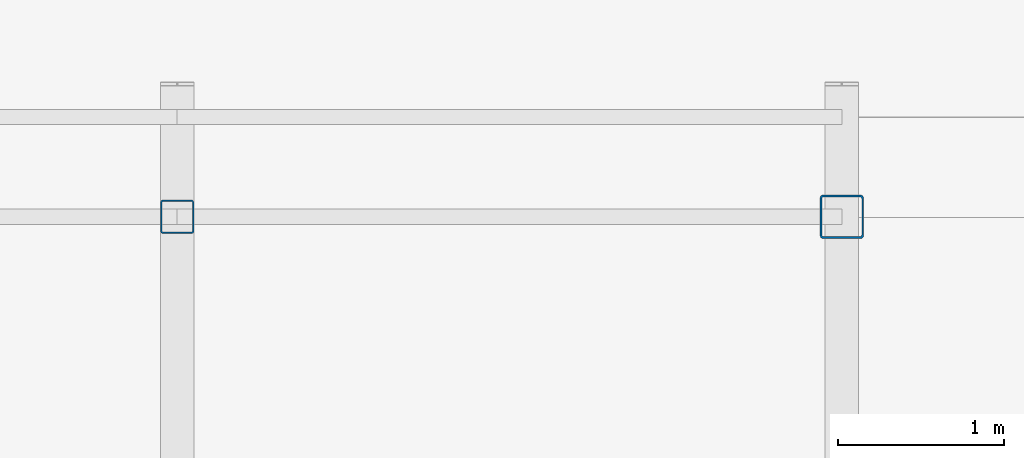
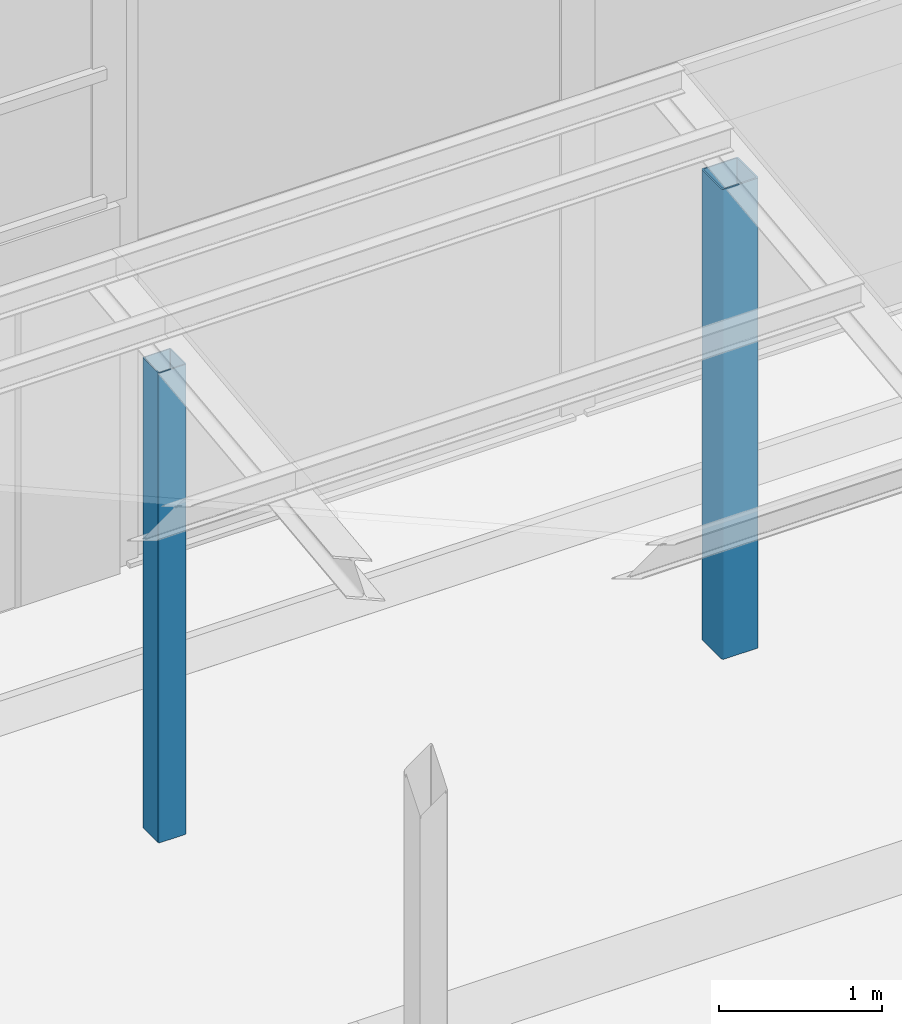
# One storey, part 12 of 144: 2 columns.
"""IFC4 building model written with IfcOpenShell, lengths in metres."""

from ifc_helpers import new_model, si_unit, direction, frame, origin, origin_2d, place, context, subcontext, project, spatial, hollow_rectangle, extrude, material, material_profile, profile_set, type_object, element, save


model = new_model("IFC4")

# Units and contexts
model_context = context("Model", 3, precision=1e-05, world=origin(), true_north=direction((0.0, 1.0)))
body_context = subcontext(model_context, "Body", "Model", "MODEL_VIEW")
ifc_project = project(units=[si_unit("LENGTHUNIT", "METRE"), si_unit("AREAUNIT", "SQUARE_METRE"), si_unit("VOLUMEUNIT", "CUBIC_METRE"), si_unit("PLANEANGLEUNIT", "RADIAN"), si_unit("MASSUNIT", "GRAM", prefix="KILO")], contexts=[model_context])

# Site, building, storey
site_placement = place(None, origin())
site = spatial("IfcSite", under=ifc_project, at=site_placement, CompositionType="ELEMENT")
building_placement = place(site_placement, origin())
building = spatial("IfcBuilding", under=site, at=building_placement, Name="Lantern Court Media Centre", CompositionType="ELEMENT")
storey_placement = place(building_placement, origin())
storey = spatial("IfcBuildingStorey", under=building, at=storey_placement, Name="L00", CompositionType="ELEMENT", Elevation=0.0)

# Columns
ifc_material = material(Name="Steel S355J2 (EN 10025-2)", Category="steel")
ifc_material_profile_1 = material_profile(ifc_material, hollow_rectangle(XDim=0.260009765625, YDim=0.260009765625, WallThickness=0.010009765625, InnerFilletRadius=0.010009765625, OuterFilletRadius=0.014892578125, at=origin_2d()), Name="Entrance canopy end post SHS 260x10")
ifc_profile_set_1 = profile_set([ifc_material_profile_1], Name="Steel S355J2 (EN 10025-2)")
column_type_1 = type_object("IfcColumnType", Name="Entrance canopy end post SHS 260x10", PredefinedType="COLUMN", material=ifc_profile_set_1)
column_1_placement = place(storey_placement, frame((60.0, 46.60009765625, 0.0), z_axis=(0.0, 0.0, 1.0), x_axis=(1.0, 0.0, 0.0)))
element("IfcColumn", 1, at=column_1_placement, inside=storey, type_object=column_type_1, Name="Entrance canopy post 5-2", PredefinedType="COLUMN", context=body_context, shape_type="SweptSolid", body=[
    extrude(hollow_rectangle(XDim=0.260009765625, YDim=0.260009765625, WallThickness=0.010009765625, InnerFilletRadius=0.010009765625, OuterFilletRadius=0.014892578125, at=origin_2d()), origin(), (0.0, 0.0, 1.0), 3.5146484375),
])
ifc_material_profile_2 = material_profile(ifc_material, hollow_rectangle(XDim=0.199951171875, YDim=0.199951171875, WallThickness=0.008056640625, InnerFilletRadius=0.008056640625, OuterFilletRadius=0.011962890625, at=origin_2d()), Name="Entrance canopy post SHS 200x8")
ifc_profile_set_2 = profile_set([ifc_material_profile_2], Name="Steel S355J2 (EN 10025-2)")
column_type_2 = type_object("IfcColumnType", Name="Entrance canopy post SHS 200x8", PredefinedType="COLUMN", material=ifc_profile_set_2)
column_2_placement = place(storey_placement, frame((56.0, 46.60009765625, 0.0), z_axis=(0.0, 0.0, 1.0), x_axis=(1.0, 0.0, 0.0)))
element("IfcColumn", 2, at=column_2_placement, inside=storey, type_object=column_type_2, Name="Entrance canopy post 4-2", PredefinedType="COLUMN", context=body_context, shape_type="SweptSolid", body=[
    extrude(hollow_rectangle(XDim=0.199951171875, YDim=0.199951171875, WallThickness=0.008056640625, InnerFilletRadius=0.008056640625, OuterFilletRadius=0.011962890625, at=origin_2d()), origin(), (0.0, 0.0, 1.0), 3.5146484375),
])

save(model, "model.ifc")
